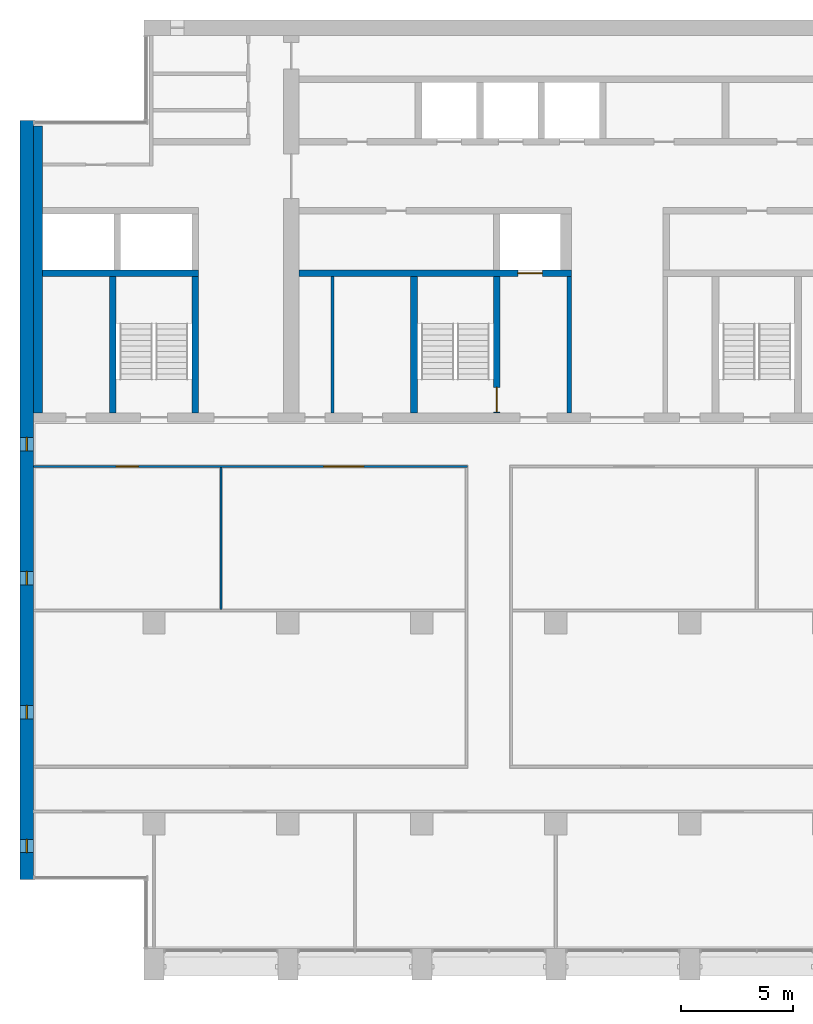
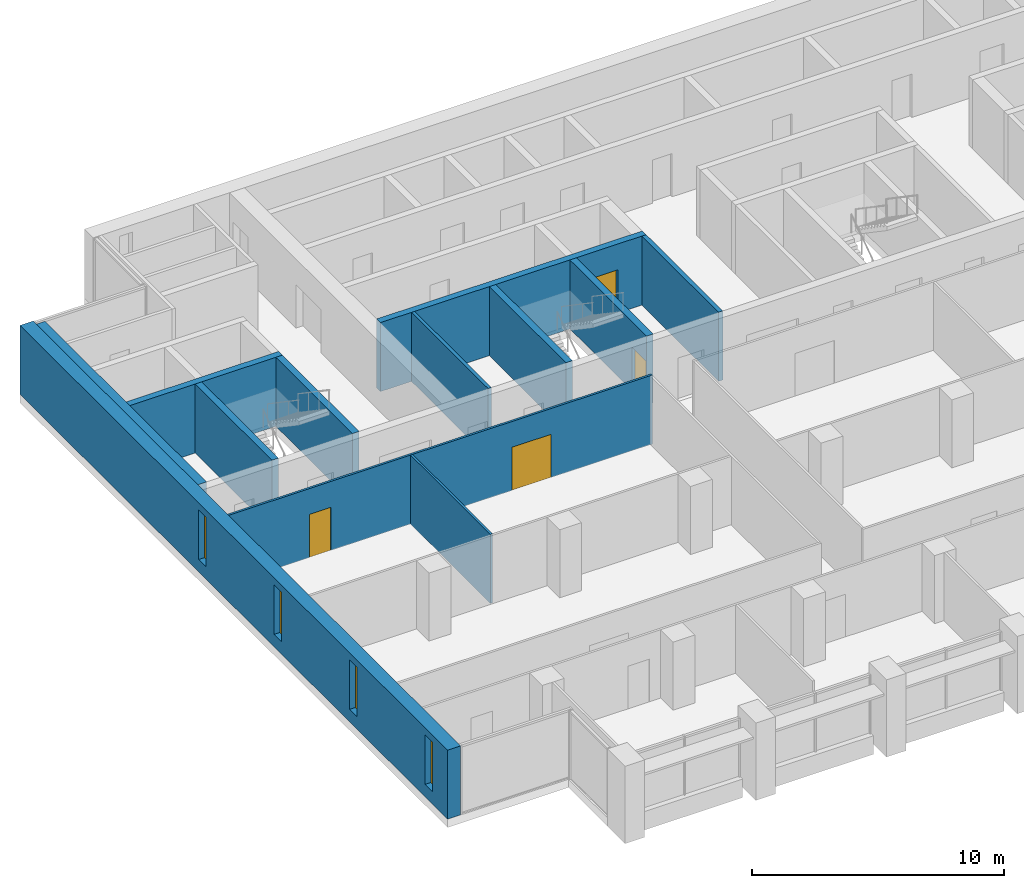
# One storey, part 8 of 17: 12 walls, 4 doors, 4 windows, 8 openings.
"""IFC4 building model written with IfcOpenShell, lengths in metres."""

from ifc_helpers import new_model, si_unit, direction, frame, frame_2d, origin, place, context, subcontext, project, spatial, rectangle, extrude, material, layer, layer_set, type_object, element, fill, save


model = new_model("IFC4")

# Units and contexts
model_context = context("Model", 3, precision=1e-05, world=origin(), true_north=direction((0.0, 1.0)))
body_context = subcontext(model_context, "Body", "Model", "MODEL_VIEW")
ifc_project = project(units=[si_unit("LENGTHUNIT", "METRE"), si_unit("AREAUNIT", "SQUARE_METRE"), si_unit("VOLUMEUNIT", "CUBIC_METRE"), si_unit("PLANEANGLEUNIT", "RADIAN"), si_unit("MASSUNIT", "GRAM", prefix="KILO")], contexts=[model_context])

# Site, building, storey
site_placement = place(None, origin())
site = spatial("IfcSite", under=ifc_project, at=site_placement, CompositionType="ELEMENT")
building_placement = place(site_placement, origin())
building = spatial("IfcBuilding", under=site, at=building_placement, Name="Calvaro Tower", CompositionType="ELEMENT")
storey_placement = place(building_placement, frame((0.0, 0.0, 215.5)))
storey = spatial("IfcBuildingStorey", under=building, at=storey_placement, Name="L54", CompositionType="ELEMENT", Elevation=215.5)

# Walls
ifc_material_1 = material(Name="Blockwork partition", Category="masonry")
ifc_layer_1 = layer(ifc_material_1, 0.14990234375)
ifc_layer_set_1 = layer_set([ifc_layer_1], Name="Blockwork partition")
wall_type_1 = type_object("IfcWallType", Name="Core partition 150 REI 120", PredefinedType="PARTITIONING", material=ifc_layer_set_1)
wall_1_placement = place(storey_placement, frame((20.0, 28.39990234375, 0.0), z_axis=(0.0, 0.0, 1.0), x_axis=(0.0, 1.0, 0.0)))
element("IfcWall", 1, at=wall_1_placement, inside=storey, type_object=wall_type_1, Name="Core partition", PredefinedType="PARTITIONING", context=body_context, shape_type="SweptSolid", body=[
    extrude(rectangle(XDim=6.10009765625, YDim=0.14990234375, at=frame_2d((3.050048828125, 0.0))), origin(), (0.0, 0.0, 1.0), 3.35009765625),
])
ifc_material_2 = material(Name="Blockwork partition", Category="masonry")
ifc_layer_2 = layer(ifc_material_2, 0.199951171875)
ifc_layer_set_2 = layer_set([ifc_layer_2], Name="Blockwork partition")
wall_type_2 = type_object("IfcWallType", Name="Core partition 200 REI 120", PredefinedType="PARTITIONING", material=ifc_layer_set_2)
wall_2_placement = place(storey_placement, frame((30.60009765625, 28.39990234375, 0.0), z_axis=(0.0, 0.0, 1.0), x_axis=(0.0, 1.0, 0.0)))
element("IfcWall", 2, at=wall_2_placement, inside=storey, type_object=wall_type_2, Name="Core partition", PredefinedType="PARTITIONING", context=body_context, shape_type="SweptSolid", body=[
    extrude(rectangle(XDim=6.10009765625, YDim=0.199951171875, at=frame_2d((3.050048828125, 0.0))), origin(), (0.0, 0.0, 1.0), 3.35009765625),
])
ifc_material_3 = material(Name="Concrete C50/60", Category="concrete")
ifc_layer_3 = layer(ifc_material_3, 0.300048828125)
ifc_layer_set_3 = layer_set([ifc_layer_3], Name="Concrete C50/60")
wall_type_3 = type_object("IfcWallType", Name="Core wall C50/60 300", PredefinedType="SHEAR", material=ifc_layer_set_3)
for number, where, z_axis, x_axis, name in (
    (3, (10.14990234375, 28.39990234375, 0.0), (0.0, 0.0, 1.0), (0.0, 1.0, 0.0), "Core wall, stair enclosure"),
    (4, (13.85009765625, 28.39990234375, 0.0), (0.0, 0.0, 1.0), (0.0, 1.0, 0.0), "Core wall, stair enclosure"),
    (5, (23.64990234375, 28.39990234375, 0.0), (0.0, 0.0, 1.0), (0.0, 1.0, 0.0), "Core wall, stair enclosure"),
):
    element("IfcWall", number, at=place(storey_placement, frame(where, z_axis=z_axis, x_axis=x_axis)), inside=storey, type_object=wall_type_3, Name=name, PredefinedType="SHEAR", context=body_context, shape_type="SweptSolid", body=[
        extrude(rectangle(XDim=6.10009765625, YDim=0.300048828125, at=frame_2d((3.050048828125, 0.0))), origin(), (0.0, 0.0, 1.0), 3.35009765625),
    ])

# Wall, opening, door
wall_3_placement = place(storey_placement, frame((27.35009765625, 28.39990234375, 0.0), z_axis=(0.0, 0.0, 1.0), x_axis=(0.0, 1.0, 0.0)))
wall_3 = element("IfcWall", 6, at=wall_3_placement, inside=storey, type_object=wall_type_3, Name="Core wall, stair enclosure", PredefinedType="SHEAR", context=body_context, shape_type="SweptSolid", body=[
    extrude(rectangle(XDim=6.10009765625, YDim=0.300048828125, at=frame_2d((3.050048828125, 0.0))), origin(), (0.0, 0.0, 1.0), 3.35009765625),
])
opening_1_placement = place(wall_3_placement, frame((0.050048828125, 0.0, 0.0)))
opening_1 = element("IfcOpeningElement", 7, at=opening_1_placement, cuts=wall_3, Name="Opening FD11D", PredefinedType="OPENING", context=body_context, shape_type="SweptSolid", body=[
    extrude(rectangle(XDim=1.10009765625, YDim=2.10009765625, at=frame_2d((0.550048828125, 1.050048828125))), frame((0.0, 0.159912109375, 0.0), z_axis=(0.0, -1.0, 0.0), x_axis=(1.0, 0.0, 0.0)), (0.0, 0.0, 1.0), 0.320068359375),
])
ifc_material_4 = material(Name="Steel door set", Category="steel")
door_type_1 = type_object("IfcDoorType", Name="Fire door 1100 FD30S", OperationType="SINGLE_SWING_LEFT", PredefinedType="DOOR", material=ifc_material_4)
door_1_placement = place(opening_1_placement, origin())
door_1 = element("IfcDoor", 8, at=door_1_placement, inside=storey, type_object=door_type_1, Name="Fire door", OperationType="SINGLE_SWING_LEFT", OverallHeight=2.10009765625, OverallWidth=1.10009765625, PredefinedType="DOOR", context=body_context, shape_type="SweptSolid", body=[
    extrude(rectangle(XDim=1.10009765625, YDim=2.10009765625, at=frame_2d((0.550048828125, 1.050048828125))), frame((0.0, 0.02490234375, 0.0), z_axis=(0.0, -1.0, 0.0), x_axis=(1.0, 0.0, 0.0)), (0.0, 0.0, 1.0), 0.050048828125),
])
fill(opening_1, door_1)

# Wall
wall_4_placement = place(storey_placement, frame((7.0, 34.64990234375, 0.0), z_axis=(0.0, 0.0, 1.0), x_axis=(1.0, 0.0, 0.0)))
element("IfcWall", 9, at=wall_4_placement, inside=storey, type_object=wall_type_3, Name="Core wall, lift shaft", PredefinedType="SHEAR", context=body_context, shape_type="SweptSolid", body=[
    extrude(rectangle(XDim=7.0, YDim=0.300048828125, at=frame_2d((3.5, 0.0))), origin(), (0.0, 0.0, 1.0), 3.35009765625),
])

# Wall, opening, door
wall_5_placement = place(storey_placement, frame((18.5, 34.64990234375, 0.0), z_axis=(0.0, 0.0, 1.0), x_axis=(1.0, 0.0, 0.0)))
wall_5 = element("IfcWall", 10, at=wall_5_placement, inside=storey, type_object=wall_type_3, Name="Core wall, lift shaft", PredefinedType="SHEAR", context=body_context, shape_type="SweptSolid", body=[
    extrude(rectangle(XDim=12.199951171875, YDim=0.300048828125, at=frame_2d((6.10009765625, 0.0))), origin(), (0.0, 0.0, 1.0), 3.35009765625),
])
opening_2_placement = place(wall_5_placement, frame((9.800048828125, 0.0, 0.0)))
opening_2 = element("IfcOpeningElement", 11, at=opening_2_placement, cuts=wall_5, Name="Opening FF1", PredefinedType="OPENING", context=body_context, shape_type="SweptSolid", body=[
    extrude(rectangle(XDim=1.10009765625, YDim=2.10009765625, at=frame_2d((0.550048828125, 1.050048828125))), frame((0.0, 0.159912109375, 0.0), z_axis=(0.0, -1.0, 0.0), x_axis=(1.0, 0.0, 0.0)), (0.0, 0.0, 1.0), 0.320068359375),
])
ifc_material_5 = material(Name="Stainless steel", Category="steel")
door_type_2 = type_object("IfcDoorType", Name="Landing door 1100 E 60", OperationType="SLIDING_TO_LEFT", PredefinedType="DOOR", material=ifc_material_5)
door_2_placement = place(opening_2_placement, origin())
door_2 = element("IfcDoor", 12, at=door_2_placement, inside=storey, type_object=door_type_2, Name="Landing door FF1", OperationType="SLIDING_TO_LEFT", OverallHeight=2.10009765625, OverallWidth=1.10009765625, PredefinedType="DOOR", context=body_context, shape_type="SweptSolid", body=[
    extrude(rectangle(XDim=1.10009765625, YDim=2.10009765625, at=frame_2d((0.550048828125, 1.050048828125))), frame((0.0, 0.02490234375, 0.0), z_axis=(0.0, -1.0, 0.0), x_axis=(1.0, 0.0, 0.0)), (0.0, 0.0, 1.0), 0.050048828125),
])
fill(opening_2, door_2)

# Wall
ifc_material_6 = material(Name="Concrete C50/60", Category="concrete")
ifc_layer_4 = layer(ifc_material_6, 0.39990234375)
ifc_layer_set_4 = layer_set([ifc_layer_4], Name="Concrete C50/60")
wall_type_4 = type_object("IfcWallType", Name="Core wall C50/60 400", PredefinedType="SHEAR", material=ifc_layer_set_4)
wall_6_placement = place(storey_placement, frame((6.800048828125, 28.39990234375, 0.0), z_axis=(0.0, 0.0, 1.0), x_axis=(0.0, 1.0, 0.0)))
element("IfcWall", 13, at=wall_6_placement, inside=storey, type_object=wall_type_4, Name="Core wall, boundary", PredefinedType="SHEAR", context=body_context, shape_type="SweptSolid", body=[
    extrude(rectangle(XDim=12.85009765625, YDim=0.39990234375, at=frame_2d((6.425048828125, 0.0))), origin(), (0.0, 0.0, 1.0), 3.35009765625),
])

# Wall, openings, windows
ifc_material_7 = material(Name="Concrete C50/60", Category="concrete")
ifc_layer_5 = layer(ifc_material_7, 0.60009765625)
ifc_layer_set_5 = layer_set([ifc_layer_5], Name="Concrete C50/60")
wall_type_5 = type_object("IfcWallType", Name="End wall 600 C50/60", PredefinedType="SHEAR", material=ifc_layer_set_5)
wall_7_placement = place(storey_placement, frame((6.300048828125, 7.5, 0.0), z_axis=(0.0, 0.0, 1.0), x_axis=(0.0, 1.0, 0.0)))
wall_7 = element("IfcWall", 14, at=wall_7_placement, inside=storey, type_object=wall_type_5, Name="End shear wall", PredefinedType="SHEAR", context=body_context, shape_type="SweptSolid", body=[
    extrude(rectangle(XDim=34.0, YDim=0.60009765625, at=frame_2d((17.0, 0.0))), origin(), (0.0, 0.0, 1.0), 3.35009765625),
])
opening_3_placement = place(wall_7_placement, frame((1.199951171875, 0.0, 0.60009765625)))
opening_3 = element("IfcOpeningElement", 15, at=opening_3_placement, cuts=wall_7, Name="Opening WW01", PredefinedType="OPENING", context=body_context, shape_type="SweptSolid", body=[
    extrude(rectangle(XDim=0.60009765625, YDim=2.39990234375, at=frame_2d((0.300048828125, 1.199951171875))), frame((0.0, 0.31005859375, 0.0), z_axis=(0.0, -1.0, 0.0), x_axis=(1.0, 0.0, 0.0)), (0.0, 0.0, 1.0), 0.6201171875),
])
opening_4_placement = place(wall_7_placement, frame((7.199951171875, 0.0, 0.60009765625)))
opening_4 = element("IfcOpeningElement", 16, at=opening_4_placement, cuts=wall_7, Name="Opening WW02", PredefinedType="OPENING", context=body_context, shape_type="SweptSolid", body=[
    extrude(rectangle(XDim=0.60009765625, YDim=2.39990234375, at=frame_2d((0.300048828125, 1.199951171875))), frame((0.0, 0.31005859375, 0.0), z_axis=(0.0, -1.0, 0.0), x_axis=(1.0, 0.0, 0.0)), (0.0, 0.0, 1.0), 0.6201171875),
])
opening_5_placement = place(wall_7_placement, frame((13.199951171875, 0.0, 0.60009765625)))
opening_5 = element("IfcOpeningElement", 17, at=opening_5_placement, cuts=wall_7, Name="Opening WW03", PredefinedType="OPENING", context=body_context, shape_type="SweptSolid", body=[
    extrude(rectangle(XDim=0.60009765625, YDim=2.39990234375, at=frame_2d((0.300048828125, 1.199951171875))), frame((0.0, 0.31005859375, 0.0), z_axis=(0.0, -1.0, 0.0), x_axis=(1.0, 0.0, 0.0)), (0.0, 0.0, 1.0), 0.6201171875),
])
opening_6_placement = place(wall_7_placement, frame((19.199951171875, 0.0, 0.60009765625)))
opening_6 = element("IfcOpeningElement", 18, at=opening_6_placement, cuts=wall_7, Name="Opening WW04", PredefinedType="OPENING", context=body_context, shape_type="SweptSolid", body=[
    extrude(rectangle(XDim=0.60009765625, YDim=2.39990234375, at=frame_2d((0.300048828125, 1.199951171875))), frame((0.0, 0.31005859375, 0.0), z_axis=(0.0, -1.0, 0.0), x_axis=(1.0, 0.0, 0.0)), (0.0, 0.0, 1.0), 0.6201171875),
])
ifc_material_8 = material(Name="Glass", Category="glass")
window_type = type_object("IfcWindowType", Name="Slit window 600 x 2400", PartitioningType="SINGLE_PANEL", PredefinedType="WINDOW", material=ifc_material_8)
window_1_placement = place(opening_3_placement, origin())
window_1 = element("IfcWindow", 19, at=window_1_placement, inside=storey, type_object=window_type, Name="Window WW01", OverallHeight=2.39990234375, OverallWidth=0.60009765625, PartitioningType="SINGLE_PANEL", PredefinedType="WINDOW", context=body_context, shape_type="SweptSolid", body=[
    extrude(rectangle(XDim=0.60009765625, YDim=2.39990234375, at=frame_2d((0.300048828125, 1.199951171875))), frame((0.0, 0.030029296875, 0.0), z_axis=(0.0, -1.0, 0.0), x_axis=(1.0, 0.0, 0.0)), (0.0, 0.0, 1.0), 0.06005859375),
])
fill(opening_3, window_1)
window_2_placement = place(opening_4_placement, origin())
window_2 = element("IfcWindow", 20, at=window_2_placement, inside=storey, type_object=window_type, Name="Window WW02", OverallHeight=2.39990234375, OverallWidth=0.60009765625, PartitioningType="SINGLE_PANEL", PredefinedType="WINDOW", context=body_context, shape_type="SweptSolid", body=[
    extrude(rectangle(XDim=0.60009765625, YDim=2.39990234375, at=frame_2d((0.300048828125, 1.199951171875))), frame((0.0, 0.030029296875, 0.0), z_axis=(0.0, -1.0, 0.0), x_axis=(1.0, 0.0, 0.0)), (0.0, 0.0, 1.0), 0.06005859375),
])
fill(opening_4, window_2)
window_3_placement = place(opening_5_placement, origin())
window_3 = element("IfcWindow", 21, at=window_3_placement, inside=storey, type_object=window_type, Name="Window WW03", OverallHeight=2.39990234375, OverallWidth=0.60009765625, PartitioningType="SINGLE_PANEL", PredefinedType="WINDOW", context=body_context, shape_type="SweptSolid", body=[
    extrude(rectangle(XDim=0.60009765625, YDim=2.39990234375, at=frame_2d((0.300048828125, 1.199951171875))), frame((0.0, 0.030029296875, 0.0), z_axis=(0.0, -1.0, 0.0), x_axis=(1.0, 0.0, 0.0)), (0.0, 0.0, 1.0), 0.06005859375),
])
fill(opening_5, window_3)
window_4_placement = place(opening_6_placement, origin())
window_4 = element("IfcWindow", 22, at=window_4_placement, inside=storey, type_object=window_type, Name="Window WW04", OverallHeight=2.39990234375, OverallWidth=0.60009765625, PartitioningType="SINGLE_PANEL", PredefinedType="WINDOW", context=body_context, shape_type="SweptSolid", body=[
    extrude(rectangle(XDim=0.60009765625, YDim=2.39990234375, at=frame_2d((0.300048828125, 1.199951171875))), frame((0.0, 0.030029296875, 0.0), z_axis=(0.0, -1.0, 0.0), x_axis=(1.0, 0.0, 0.0)), (0.0, 0.0, 1.0), 0.06005859375),
])
fill(opening_6, window_4)

# Wall, openings, doors
ifc_material_9 = material(Name="Plasterboard on steel studs", Category="steel")
ifc_layer_6 = layer(ifc_material_9, 0.10009765625)
ifc_layer_set_6 = layer_set([ifc_layer_6], Name="Plasterboard on steel studs")
wall_type_6 = type_object("IfcWallType", Name="Partition 100", PredefinedType="PARTITIONING", material=ifc_layer_set_6)
wall_8_placement = place(storey_placement, frame((6.60009765625, 26.0, 0.0), z_axis=(0.0, 0.0, 1.0), x_axis=(1.0, 0.0, 0.0)))
wall_8 = element("IfcWall", 23, at=wall_8_placement, inside=storey, type_object=wall_type_6, Name="Partition T31.W008", PredefinedType="PARTITIONING", context=body_context, shape_type="SweptSolid", body=[
    extrude(rectangle(XDim=19.449951171875, YDim=0.10009765625, at=frame_2d((9.72509765625, 0.0))), origin(), (0.0, 0.0, 1.0), 3.35009765625),
])
opening_7_placement = place(wall_8_placement, frame((3.699951171875, 0.0, 0.0)))
opening_7 = element("IfcOpeningElement", 24, at=opening_7_placement, cuts=wall_8, Name="Opening T31.012", PredefinedType="OPENING", context=body_context, shape_type="SweptSolid", body=[
    extrude(rectangle(XDim=1.0, YDim=2.10009765625, at=frame_2d((0.5, 1.050048828125))), frame((0.0, 0.06005859375, 0.0), z_axis=(0.0, -1.0, 0.0), x_axis=(1.0, 0.0, 0.0)), (0.0, 0.0, 1.0), 0.1201171875),
])
opening_8_placement = place(wall_8_placement, frame((13.0, 0.0, 0.0)))
opening_8 = element("IfcOpeningElement", 25, at=opening_8_placement, cuts=wall_8, Name="Opening T31.013", PredefinedType="OPENING", context=body_context, shape_type="SweptSolid", body=[
    extrude(rectangle(XDim=1.800048828125, YDim=2.10009765625, at=frame_2d((0.89990234375, 1.050048828125))), frame((0.0, 0.06005859375, 0.0), z_axis=(0.0, -1.0, 0.0), x_axis=(1.0, 0.0, 0.0)), (0.0, 0.0, 1.0), 0.1201171875),
])
ifc_material_10 = material(Name="Timber", Category="wood")
door_type_3 = type_object("IfcDoorType", Name="Internal double door 1800 x 2100", OperationType="DOUBLE_DOOR_SINGLE_SWING", PredefinedType="DOOR", material=ifc_material_10)
door_3_placement = place(opening_8_placement, origin())
door_3 = element("IfcDoor", 26, at=door_3_placement, inside=storey, type_object=door_type_3, Name="Door T31.013", OperationType="DOUBLE_DOOR_SINGLE_SWING", OverallHeight=2.10009765625, OverallWidth=1.800048828125, PredefinedType="DOOR", context=body_context, shape_type="SweptSolid", body=[
    extrude(rectangle(XDim=1.800048828125, YDim=2.10009765625, at=frame_2d((0.89990234375, 1.050048828125))), frame((0.0, 0.02490234375, 0.0), z_axis=(0.0, -1.0, 0.0), x_axis=(1.0, 0.0, 0.0)), (0.0, 0.0, 1.0), 0.050048828125),
])
fill(opening_8, door_3)
ifc_material_11 = material(Name="Timber", Category="wood")
door_type_4 = type_object("IfcDoorType", Name="Internal single door 1000 x 2100", OperationType="SINGLE_SWING_LEFT", PredefinedType="DOOR", material=ifc_material_11)
door_4_placement = place(opening_7_placement, origin())
door_4 = element("IfcDoor", 27, at=door_4_placement, inside=storey, type_object=door_type_4, Name="Door T31.012", OperationType="SINGLE_SWING_LEFT", OverallHeight=2.10009765625, OverallWidth=1.0, PredefinedType="DOOR", context=body_context, shape_type="SweptSolid", body=[
    extrude(rectangle(XDim=1.0, YDim=2.10009765625, at=frame_2d((0.5, 1.050048828125))), frame((0.0, 0.02490234375, 0.0), z_axis=(0.0, -1.0, 0.0), x_axis=(1.0, 0.0, 0.0)), (0.0, 0.0, 1.0), 0.050048828125),
])
fill(opening_7, door_4)

# Wall
wall_9_placement = place(storey_placement, frame((15.0, 19.60009765625, 0.0), z_axis=(0.0, 0.0, 1.0), x_axis=(0.0, 1.0, 0.0)))
element("IfcWall", 28, at=wall_9_placement, inside=storey, type_object=wall_type_6, Name="Partition T31.W013", PredefinedType="PARTITIONING", context=body_context, shape_type="SweptSolid", body=[
    extrude(rectangle(XDim=6.349853515625, YDim=0.10009765625, at=frame_2d((3.1748046875, 0.0))), origin(), (0.0, 0.0, 1.0), 3.35009765625),
])

save(model, "model.ifc")
